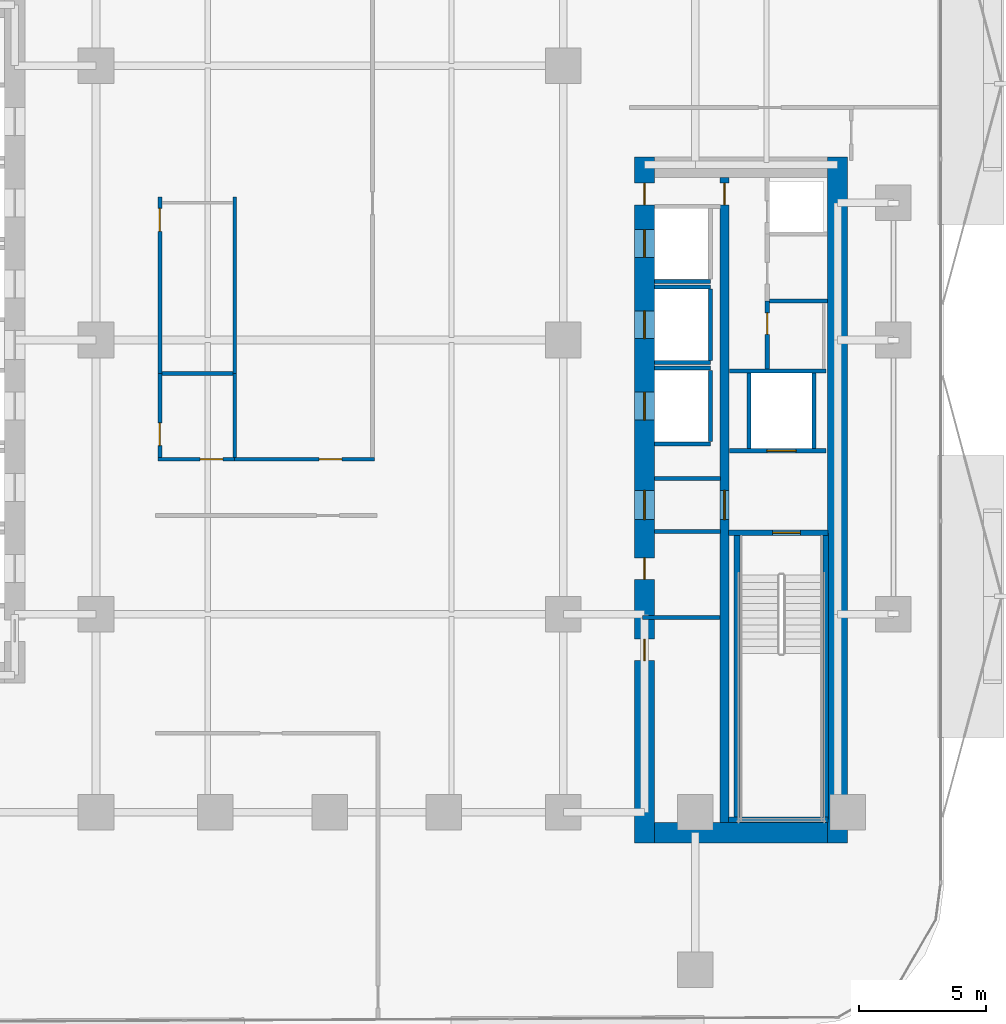
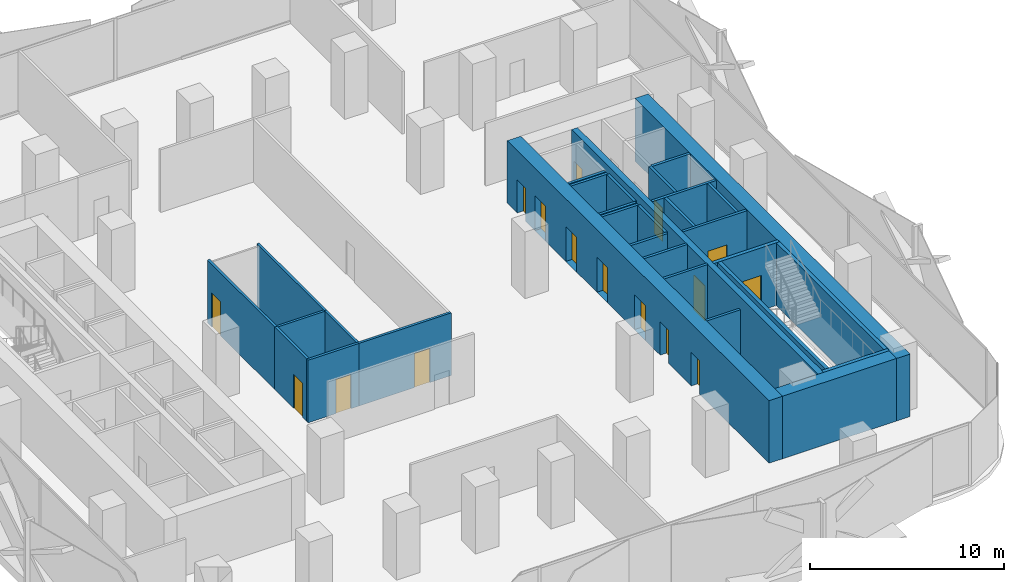
# One storey, part 4 of 15: 31 walls, 16 doors, 16 openings.
"""IFC4 building model written with IfcOpenShell, lengths in metres."""

from ifc_helpers import new_model, si_unit, direction, frame, frame_2d, origin, place, context, subcontext, project, spatial, rectangle, extrude, material, layer, layer_set, type_object, element, fill, save


model = new_model("IFC4")

# Units and contexts
model_context = context("Model", 3, precision=1e-05, world=origin(), true_north=direction((0.0, 1.0)))
body_context = subcontext(model_context, "Body", "Model", "MODEL_VIEW")
ifc_project = project(units=[si_unit("LENGTHUNIT", "METRE"), si_unit("AREAUNIT", "SQUARE_METRE"), si_unit("VOLUMEUNIT", "CUBIC_METRE"), si_unit("PLANEANGLEUNIT", "RADIAN"), si_unit("MASSUNIT", "GRAM", prefix="KILO")], contexts=[model_context])

# Site, building, storey
site_placement = place(None, origin())
site = spatial("IfcSite", under=ifc_project, at=site_placement, CompositionType="ELEMENT")
building_placement = place(site_placement, origin())
building = spatial("IfcBuilding", under=site, at=building_placement, Name="Khairoan Windgate Tower", CompositionType="ELEMENT")
storey_placement = place(building_placement, frame((0.0, 0.0, 68.0)))
storey = spatial("IfcBuildingStorey", under=building, at=storey_placement, Name="L16", CompositionType="ELEMENT", Elevation=68.0)

# Walls
ifc_material_1 = material(Name="Concrete C40/50", Category="concrete")
ifc_layer_1 = layer(ifc_material_1, 0.159912109375, Name="Concrete C40/50")
ifc_layer_set_1 = layer_set([ifc_layer_1], Name="Concrete C40/50")
wall_type_1 = type_object("IfcWallType", Name="Core and Hoistway Enclosure Wall", PredefinedType="STANDARD", material=ifc_layer_set_1)
for number, where, z_axis, x_axis, name in (
    (1, (12.800048828125, 2.31005859375, 0.0), (0.0, 0.0, 1.0), (1.0, 0.0, 0.0), "L16 Lift PL7 Hoistway Divider S"),
    (2, (12.800048828125, -0.889892578125, 0.0), (0.0, 0.0, 1.0), (1.0, 0.0, 0.0), "L16 Lift PL8 Hoistway Divider S"),
    (3, (12.800048828125, 2.090087890625, 0.0), (0.0, 0.0, 1.0), (1.0, 0.0, 0.0), "L16 Lift PL8 Hoistway Divider N"),
):
    element("IfcWall", number, at=place(storey_placement, frame(where, z_axis=z_axis, x_axis=x_axis)), inside=storey, type_object=wall_type_1, Name=name, PredefinedType="STANDARD", context=body_context, shape_type="SweptSolid", body=[
        extrude(rectangle(XDim=2.18994140625, YDim=0.159912109375, at=frame_2d((1.094970703125, 0.0))), origin(), (0.0, 0.0, 1.0), 3.93994140625),
    ])
wall_1_placement = place(storey_placement, frame((14.989990234375, -0.800048828125, 0.0), z_axis=(0.0, 0.0, 1.0), x_axis=(0.0, 1.0, 0.0)))
element("IfcWall", 4, at=wall_1_placement, inside=storey, type_object=wall_type_1, Name="L16 Lift PL8 Hoistway Back Wall", PredefinedType="STANDARD", context=body_context, shape_type="SweptSolid", body=[
    extrude(rectangle(XDim=2.800048828125, YDim=0.159912109375, at=frame_2d((1.39990234375, 0.0))), origin(), (0.0, 0.0, 1.0), 3.93994140625),
])
for number, where, z_axis, x_axis, name in (
    (5, (12.800048828125, -4.090087890625, 0.0), (0.0, 0.0, 1.0), (1.0, 0.0, 0.0), "L16 Lift PL9 Hoistway Divider S"),
    (6, (12.800048828125, -1.110107421875, 0.0), (0.0, 0.0, 1.0), (1.0, 0.0, 0.0), "L16 Lift PL9 Hoistway Divider N"),
):
    element("IfcWall", number, at=place(storey_placement, frame(where, z_axis=z_axis, x_axis=x_axis)), inside=storey, type_object=wall_type_1, Name=name, PredefinedType="STANDARD", context=body_context, shape_type="SweptSolid", body=[
        extrude(rectangle(XDim=2.18994140625, YDim=0.159912109375, at=frame_2d((1.094970703125, 0.0))), origin(), (0.0, 0.0, 1.0), 3.93994140625),
    ])
wall_2_placement = place(storey_placement, frame((14.989990234375, -4.0, 0.0), z_axis=(0.0, 0.0, 1.0), x_axis=(0.0, 1.0, 0.0)))
element("IfcWall", 7, at=wall_2_placement, inside=storey, type_object=wall_type_1, Name="L16 Lift PL9 Hoistway Back Wall", PredefinedType="STANDARD", context=body_context, shape_type="SweptSolid", body=[
    extrude(rectangle(XDim=2.800048828125, YDim=0.159912109375, at=frame_2d((1.39990234375, 0.0))), origin(), (0.0, 0.0, 1.0), 3.93994140625),
])

# Wall, opening, door
wall_3_placement = place(storey_placement, frame((15.75, -4.360107421875, 0.0), z_axis=(0.0, 0.0, 1.0), x_axis=(1.0, 0.0, 0.0)))
wall_3 = element("IfcWall", 8, at=wall_3_placement, inside=storey, type_object=wall_type_1, Name="L16 Core Shaft Wall SW-FL1-L16", PredefinedType="STANDARD", context=body_context, shape_type="SweptSolid", body=[
    extrude(rectangle(XDim=3.800048828125, YDim=0.159912109375, at=frame_2d((1.89990234375, 0.0))), origin(), (0.0, 0.0, 1.0), 3.93994140625),
])
opening_1_placement = place(wall_3_placement, frame((1.469970703125, 0.0, 0.0)))
opening_1 = element("IfcOpeningElement", 9, at=opening_1_placement, cuts=wall_3, Name="Opening LD-FL", PredefinedType="OPENING", context=body_context, shape_type="SweptSolid", body=[
    extrude(rectangle(XDim=1.14990234375, YDim=2.199951171875, at=frame_2d((0.574951171875, 1.10009765625))), frame((0.0, 0.08984375, 0.0), z_axis=(0.0, -1.0, 0.0), x_axis=(1.0, 0.0, 0.0)), (0.0, 0.0, 1.0), 0.179931640625),
])
ifc_material_2 = material(Name="Steel S355", Category="steel")
door_type_1 = type_object("IfcDoorType", Name="Firefighting Lift Sliding Landing Door LD-FL 1150x2200", OperationType="DOUBLE_DOOR_SLIDING", PredefinedType="DOOR", material=ifc_material_2)
door_1_placement = place(opening_1_placement, origin())
door_1 = element("IfcDoor", 10, at=door_1_placement, inside=storey, type_object=door_type_1, Name="L16 Firefighting Lift FL1 Landing Door", OperationType="DOUBLE_DOOR_SLIDING", OverallHeight=2.199951171875, OverallWidth=1.14990234375, PredefinedType="DOOR", context=body_context, shape_type="SweptSolid", body=[
    extrude(rectangle(XDim=1.14990234375, YDim=2.199951171875, at=frame_2d((0.574951171875, 1.10009765625))), frame((0.0, 0.02490234375, 0.0), z_axis=(0.0, -1.0, 0.0), x_axis=(1.0, 0.0, 0.0)), (0.0, 0.0, 1.0), 0.050048828125),
])
fill(opening_1, door_1)

# Walls
wall_4_placement = place(storey_placement, frame((15.75, -1.219970703125, 0.0), z_axis=(0.0, 0.0, 1.0), x_axis=(1.0, 0.0, 0.0)))
element("IfcWall", 11, at=wall_4_placement, inside=storey, type_object=wall_type_1, Name="L16 Core Shaft Wall SW-FL1T-L16", PredefinedType="STANDARD", context=body_context, shape_type="SweptSolid", body=[
    extrude(rectangle(XDim=3.800048828125, YDim=0.159912109375, at=frame_2d((1.89990234375, 0.0))), origin(), (0.0, 0.0, 1.0), 3.93994140625),
])
for number, where, z_axis, x_axis, name in (
    (12, (16.52001953125, -4.280029296875, 0.0), (0.0, 0.0, 1.0), (0.0, 1.0, 0.0), "L16 Core Shaft Wall SW-FL1W-L16"),
    (13, (19.080078125, -4.280029296875, 0.0), (0.0, 0.0, 1.0), (0.0, 1.0, 0.0), "L16 Core Shaft Wall SW-FL1E-L16"),
):
    element("IfcWall", number, at=place(storey_placement, frame(where, z_axis=z_axis, x_axis=x_axis)), inside=storey, type_object=wall_type_1, Name=name, PredefinedType="STANDARD", context=body_context, shape_type="SweptSolid", body=[
        extrude(rectangle(XDim=2.97998046875, YDim=0.159912109375, at=frame_2d((1.489990234375, 0.0))), origin(), (0.0, 0.0, 1.0), 3.93994140625),
    ])
for number, where, z_axis, x_axis, name in (
    (14, (12.800048828125, -5.449951171875, 0.0), (0.0, 0.0, 1.0), (1.0, 0.0, 0.0), "L16 Core Shaft Wall SW-EV1-L16"),
    (15, (12.800048828125, -7.5400390625, 0.0), (0.0, 0.0, 1.0), (1.0, 0.0, 0.0), "L16 Core Shaft Wall SW-EV2-L16"),
):
    element("IfcWall", number, at=place(storey_placement, frame(where, z_axis=z_axis, x_axis=x_axis)), inside=storey, type_object=wall_type_1, Name=name, PredefinedType="STANDARD", context=body_context, shape_type="SweptSolid", body=[
        extrude(rectangle(XDim=2.599853515625, YDim=0.159912109375, at=frame_2d((1.2998046875, 0.0))), origin(), (0.0, 0.0, 1.0), 3.93994140625),
    ])
ifc_material_3 = material(Name="Acoustic Fire-Rated Gypsum Partition", Category="gypsum")
ifc_layer_2 = layer(ifc_material_3, 0.139892578125, Name="Acoustic Fire-Rated Gypsum Partition")
ifc_layer_set_2 = layer_set([ifc_layer_2], Name="Acoustic Fire-Rated Gypsum Partition")
wall_type_2 = type_object("IfcWallType", Name="Inter-Tenancy Compartment Wall", PredefinedType="PARTITIONING", material=ifc_layer_set_2)
wall_5_placement = place(storey_placement, frame((-6.610107421875, -1.320068359375, 0.0), z_axis=(0.0, 0.0, 1.0), x_axis=(1.0, 0.0, 0.0)))
element("IfcWall", 16, at=wall_5_placement, inside=storey, type_object=wall_type_2, Name="L16 Interior Partition 032", PredefinedType="PARTITIONING", context=body_context, shape_type="SweptSolid", body=[
    extrude(rectangle(XDim=2.800048828125, YDim=0.139892578125, at=frame_2d((1.39990234375, 0.0))), origin(), (0.0, 0.0, 1.0), 3.93994140625),
])
wall_6_placement = place(storey_placement, frame((-3.739990234375, -4.6201171875, 0.0), z_axis=(0.0, 0.0, 1.0), x_axis=(0.0, 1.0, 0.0)))
element("IfcWall", 17, at=wall_6_placement, inside=storey, type_object=wall_type_2, Name="L16 Interior Partition 033", PredefinedType="PARTITIONING", context=body_context, shape_type="SweptSolid", body=[
    extrude(rectangle(XDim=3.300048828125, YDim=0.139892578125, at=frame_2d((1.64990234375, 0.0))), origin(), (0.0, 0.0, 1.0), 3.93994140625),
])
wall_7_placement = place(storey_placement, frame((-3.739990234375, -1.320068359375, 0.0), z_axis=(0.0, 0.0, 1.0), x_axis=(0.0, 1.0, 0.0)))
element("IfcWall", 18, at=wall_7_placement, inside=storey, type_object=wall_type_2, Name="L16 Interior Partition 034", PredefinedType="PARTITIONING", context=body_context, shape_type="SweptSolid", body=[
    extrude(rectangle(XDim=6.9599609375, YDim=0.139892578125, at=frame_2d((3.47998046875, 0.0))), origin(), (0.0, 0.0, 1.0), 3.93994140625),
])

# Wall, opening, door
ifc_material_4 = material(Name="Concrete C40/50", Category="concrete")
ifc_layer_3 = layer(ifc_material_4, 0.159912109375, Name="Concrete C40/50")
ifc_layer_set_3 = layer_set([ifc_layer_3], Name="Concrete C40/50")
wall_type_3 = type_object("IfcWallType", Name="Plant and Refuge Compartment Wall", PredefinedType="PARTITIONING", material=ifc_layer_set_3)
wall_8_placement = place(storey_placement, frame((17.22998046875, -1.139892578125, 0.0), z_axis=(0.0, 0.0, 1.0), x_axis=(0.0, 1.0, 0.0)))
wall_8 = element("IfcWall", 19, at=wall_8_placement, inside=storey, type_object=wall_type_3, Name="L16 Interior Partition 005", PredefinedType="PARTITIONING", context=body_context, shape_type="SweptSolid", body=[
    extrude(rectangle(XDim=2.669921875, YDim=0.159912109375, at=frame_2d((1.3349609375, 0.0))), origin(), (0.0, 0.0, 1.0), 3.93994140625),
])
opening_2_placement = place(wall_8_placement, frame((1.360107421875, 0.0, 0.0)))
opening_2 = element("IfcOpeningElement", 20, at=opening_2_placement, cuts=wall_8, Name="Opening FD-SRV", PredefinedType="OPENING", context=body_context, shape_type="SweptSolid", body=[
    extrude(rectangle(XDim=0.85009765625, YDim=2.10009765625, at=frame_2d((0.425048828125, 1.050048828125))), frame((0.0, 0.08984375, 0.0), z_axis=(0.0, -1.0, 0.0), x_axis=(1.0, 0.0, 0.0)), (0.0, 0.0, 1.0), 0.179931640625),
])
ifc_material_5 = material(Name="Steel S355", Category="steel")
door_type_2 = type_object("IfcDoorType", Name="Core Service and Riser Fire Door FD-SRV 850x2100", OperationType="NOTDEFINED", PredefinedType="DOOR", material=ifc_material_5)
door_2_placement = place(opening_2_placement, origin())
door_2 = element("IfcDoor", 21, at=door_2_placement, inside=storey, type_object=door_type_2, Name="L16 L16-18-L16-20 Door", OperationType="SINGLE_SWING_RIGHT", OverallHeight=2.10009765625, OverallWidth=0.85009765625, PredefinedType="DOOR", context=body_context, shape_type="SweptSolid", body=[
    extrude(rectangle(XDim=0.85009765625, YDim=2.10009765625, at=frame_2d((0.425048828125, 1.050048828125))), frame((0.0, 0.02490234375, 0.0), z_axis=(0.0, -1.0, 0.0), x_axis=(1.0, 0.0, 0.0)), (0.0, 0.0, 1.0), 0.050048828125),
])
fill(opening_2, door_2)

# Walls
wall_9_placement = place(storey_placement, frame((17.31005859375, 1.530029296875, 0.0), z_axis=(0.0, 0.0, 1.0), x_axis=(1.0, 0.0, 0.0)))
element("IfcWall", 22, at=wall_9_placement, inside=storey, type_object=wall_type_3, Name="L16 Interior Partition 008", PredefinedType="PARTITIONING", context=body_context, shape_type="SweptSolid", body=[
    extrude(rectangle(XDim=2.2900390625, YDim=0.159912109375, at=frame_2d((1.14501953125, 0.0))), origin(), (0.0, 0.0, 1.0), 3.93994140625),
])
wall_10_placement = place(storey_placement, frame((12.31005859375, -10.919921875, 0.0), z_axis=(0.0, 0.0, 1.0), x_axis=(1.0, 0.0, 0.0)))
element("IfcWall", 23, at=wall_10_placement, inside=storey, type_object=wall_type_3, Name="L16 Interior Partition 009", PredefinedType="PARTITIONING", context=body_context, shape_type="SweptSolid", body=[
    extrude(rectangle(XDim=3.06494140625, YDim=0.159912109375, at=frame_2d((1.532470703125, 0.0))), origin(), (0.0, 0.0, 1.0), 3.139892578125),
])

# Wall, opening, door
ifc_material_6 = material(Name="Acoustic Fire-Rated Gypsum Partition", Category="gypsum")
ifc_layer_4 = layer(ifc_material_6, 0.14990234375, Name="Acoustic Fire-Rated Gypsum Partition")
ifc_layer_set_4 = layer_set([ifc_layer_4], Name="Acoustic Fire-Rated Gypsum Partition")
wall_type_4 = type_object("IfcWallType", Name="Rated Corridor Partition Wall", PredefinedType="PARTITIONING", material=ifc_layer_set_4)
wall_11_placement = place(storey_placement, frame((-6.760009765625, -4.695068359375, 0.0), z_axis=(0.0, 0.0, 1.0), x_axis=(1.0, 0.0, 0.0)))
wall_11 = element("IfcWall", 24, at=wall_11_placement, inside=storey, type_object=wall_type_4, Name="L16 Interior Partition 011", PredefinedType="PARTITIONING", context=body_context, shape_type="SweptSolid", body=[
    extrude(rectangle(XDim=3.02001953125, YDim=0.14990234375, at=frame_2d((1.510009765625, 0.0))), origin(), (0.0, 0.0, 1.0), 3.93994140625),
])
opening_3_placement = place(wall_11_placement, frame((1.659912109375, 0.0, 0.0)))
opening_3 = element("IfcOpeningElement", 25, at=opening_3_placement, cuts=wall_11, Name="Opening FD-ENT", PredefinedType="OPENING", context=body_context, shape_type="SweptSolid", body=[
    extrude(rectangle(XDim=0.89990234375, YDim=2.14990234375, at=frame_2d((0.449951171875, 1.074951171875))), frame((0.0, 0.0849609375, 0.0), z_axis=(0.0, -1.0, 0.0), x_axis=(1.0, 0.0, 0.0)), (0.0, 0.0, 1.0), 0.169921875),
])
ifc_material_7 = material(Name="Timber Fire-Rated Core", Category="wood")
door_type_3 = type_object("IfcDoorType", Name="Unit and Office Fire Entrance Door FD-ENT 900x2150", OperationType="NOTDEFINED", PredefinedType="DOOR", material=ifc_material_7)
door_3_placement = place(opening_3_placement, origin())
door_3 = element("IfcDoor", 26, at=door_3_placement, inside=storey, type_object=door_type_3, Name="L16 L16-31-L16-44 Door", OperationType="SINGLE_SWING_LEFT", OverallHeight=2.14990234375, OverallWidth=0.89990234375, PredefinedType="DOOR", context=body_context, shape_type="SweptSolid", body=[
    extrude(rectangle(XDim=0.89990234375, YDim=2.14990234375, at=frame_2d((0.449951171875, 1.074951171875))), frame((0.0, 0.02490234375, 0.0), z_axis=(0.0, -1.0, 0.0), x_axis=(1.0, 0.0, 0.0)), (0.0, 0.0, 1.0), 0.050048828125),
])
fill(opening_3, door_3)

wall_12_placement = place(storey_placement, frame((-3.739990234375, -4.695068359375, 0.0), z_axis=(0.0, 0.0, 1.0), x_axis=(1.0, 0.0, 0.0)))
wall_12 = element("IfcWall", 27, at=wall_12_placement, inside=storey, type_object=wall_type_4, Name="L16 Interior Partition 012", PredefinedType="PARTITIONING", context=body_context, shape_type="SweptSolid", body=[
    extrude(rectangle(XDim=5.5, YDim=0.14990234375, at=frame_2d((2.75, 0.0))), origin(), (0.0, 0.0, 1.0), 3.93994140625),
])
opening_4_placement = place(wall_12_placement, frame((3.322265625, 0.0, 0.0)))
opening_4 = element("IfcOpeningElement", 28, at=opening_4_placement, cuts=wall_12, Name="Opening FD-ENT", PredefinedType="OPENING", context=body_context, shape_type="SweptSolid", body=[
    extrude(rectangle(XDim=0.89990234375, YDim=2.14990234375, at=frame_2d((0.449951171875, 1.074951171875))), frame((0.0, 0.0849609375, 0.0), z_axis=(0.0, -1.0, 0.0), x_axis=(1.0, 0.0, 0.0)), (0.0, 0.0, 1.0), 0.169921875),
])
door_4_placement = place(opening_4_placement, origin())
door_4 = element("IfcDoor", 29, at=door_4_placement, inside=storey, type_object=door_type_3, Name="L16 L16-31-L16-46 Door", OperationType="SINGLE_SWING_RIGHT", OverallHeight=2.14990234375, OverallWidth=0.89990234375, PredefinedType="DOOR", context=body_context, shape_type="SweptSolid", body=[
    extrude(rectangle(XDim=0.89990234375, YDim=2.14990234375, at=frame_2d((0.449951171875, 1.074951171875))), frame((0.0, 0.02490234375, 0.0), z_axis=(0.0, -1.0, 0.0), x_axis=(1.0, 0.0, 0.0)), (0.0, 0.0, 1.0), 0.050048828125),
])
fill(opening_4, door_4)

wall_13_placement = place(storey_placement, frame((-6.68505859375, -4.6201171875, 0.0), z_axis=(0.0, 0.0, 1.0), x_axis=(0.0, 1.0, 0.0)))
wall_13 = element("IfcWall", 30, at=wall_13_placement, inside=storey, type_object=wall_type_4, Name="L16 Interior Partition 015", PredefinedType="PARTITIONING", context=body_context, shape_type="SweptSolid", body=[
    extrude(rectangle(XDim=3.300048828125, YDim=0.14990234375, at=frame_2d((1.64990234375, 0.0))), origin(), (0.0, 0.0, 1.0), 3.93994140625),
])
opening_5_placement = place(wall_13_placement, frame((0.4599609375, 0.0, 0.0)))
opening_5 = element("IfcOpeningElement", 31, at=opening_5_placement, cuts=wall_13, Name="Opening FD-ENT", PredefinedType="OPENING", context=body_context, shape_type="SweptSolid", body=[
    extrude(rectangle(XDim=0.89990234375, YDim=2.14990234375, at=frame_2d((0.449951171875, 1.074951171875))), frame((0.0, 0.0849609375, 0.0), z_axis=(0.0, -1.0, 0.0), x_axis=(1.0, 0.0, 0.0)), (0.0, 0.0, 1.0), 0.169921875),
])
door_5_placement = place(opening_5_placement, origin())
door_5 = element("IfcDoor", 32, at=door_5_placement, inside=storey, type_object=door_type_3, Name="L16 L16-32-L16-44 Door", OperationType="SINGLE_SWING_LEFT", OverallHeight=2.14990234375, OverallWidth=0.89990234375, PredefinedType="DOOR", context=body_context, shape_type="SweptSolid", body=[
    extrude(rectangle(XDim=0.89990234375, YDim=2.14990234375, at=frame_2d((0.449951171875, 1.074951171875))), frame((0.0, 0.02490234375, 0.0), z_axis=(0.0, -1.0, 0.0), x_axis=(1.0, 0.0, 0.0)), (0.0, 0.0, 1.0), 0.050048828125),
])
fill(opening_5, door_5)

wall_14_placement = place(storey_placement, frame((-6.68505859375, -1.320068359375, 0.0), z_axis=(0.0, 0.0, 1.0), x_axis=(0.0, 1.0, 0.0)))
wall_14 = element("IfcWall", 33, at=wall_14_placement, inside=storey, type_object=wall_type_4, Name="L16 Interior Partition 016", PredefinedType="PARTITIONING", context=body_context, shape_type="SweptSolid", body=[
    extrude(rectangle(XDim=6.9599609375, YDim=0.14990234375, at=frame_2d((3.47998046875, 0.0))), origin(), (0.0, 0.0, 1.0), 3.93994140625),
])
opening_6_placement = place(wall_14_placement, frame((5.60009765625, 0.0, 0.0)))
opening_6 = element("IfcOpeningElement", 34, at=opening_6_placement, cuts=wall_14, Name="Opening FD-ENT", PredefinedType="OPENING", context=body_context, shape_type="SweptSolid", body=[
    extrude(rectangle(XDim=0.89990234375, YDim=2.14990234375, at=frame_2d((0.449951171875, 1.074951171875))), frame((0.0, 0.0849609375, 0.0), z_axis=(0.0, -1.0, 0.0), x_axis=(1.0, 0.0, 0.0)), (0.0, 0.0, 1.0), 0.169921875),
])
door_6_placement = place(opening_6_placement, origin())
door_6 = element("IfcDoor", 35, at=door_6_placement, inside=storey, type_object=door_type_3, Name="L16 L16-32-L16-45 Door", OperationType="SINGLE_SWING_RIGHT", OverallHeight=2.14990234375, OverallWidth=0.89990234375, PredefinedType="DOOR", context=body_context, shape_type="SweptSolid", body=[
    extrude(rectangle(XDim=0.89990234375, YDim=2.14990234375, at=frame_2d((0.449951171875, 1.074951171875))), frame((0.0, 0.02490234375, 0.0), z_axis=(0.0, -1.0, 0.0), x_axis=(1.0, 0.0, 0.0)), (0.0, 0.0, 1.0), 0.050048828125),
])
fill(opening_6, door_6)

# Wall, openings, doors
ifc_material_8 = material(Name="Concrete C70/85", Category="concrete")
ifc_layer_5 = layer(ifc_material_8, 0.800048828125, Name="Concrete C70/85")
ifc_layer_set_5 = layer_set([ifc_layer_5], Name="Concrete C70/85")
wall_type_5 = type_object("IfcWallType", Name="Shear Wall CW-E1 800mm", PredefinedType="SHEAR", material=ifc_layer_set_5)
wall_15_placement = place(storey_placement, frame((12.39990234375, -19.800048828125, 0.0), z_axis=(0.0, 0.0, 1.0), x_axis=(0.0, 1.0, 0.0)))
wall_15 = element("IfcWall", 36, at=wall_15_placement, inside=storey, type_object=wall_type_5, Name="E Core West Shear Wall L16", PredefinedType="SHEAR", context=body_context, shape_type="SweptSolid", body=[
    extrude(rectangle(XDim=27.0, YDim=0.800048828125, at=frame_2d((13.5, 0.0))), origin(), (0.0, 0.0, 1.0), 3.93994140625),
])
opening_7_placement = place(wall_15_placement, frame((23.050048828125, 0.0, 0.0)))
opening_7 = element("IfcOpeningElement", 37, at=opening_7_placement, cuts=wall_15, Name="Opening LD-PL", PredefinedType="OPENING", context=body_context, shape_type="SweptSolid", body=[
    extrude(rectangle(XDim=1.10009765625, YDim=2.199951171875, at=frame_2d((0.550048828125, 1.10009765625))), frame((0.0, 0.409912109375, 0.0), z_axis=(0.0, -1.0, 0.0), x_axis=(1.0, 0.0, 0.0)), (0.0, 0.0, 1.0), 0.820068359375),
])
opening_8_placement = place(wall_15_placement, frame((19.85009765625, 0.0, 0.0)))
opening_8 = element("IfcOpeningElement", 38, at=opening_8_placement, cuts=wall_15, Name="Opening LD-PL", PredefinedType="OPENING", context=body_context, shape_type="SweptSolid", body=[
    extrude(rectangle(XDim=1.10009765625, YDim=2.199951171875, at=frame_2d((0.550048828125, 1.10009765625))), frame((0.0, 0.409912109375, 0.0), z_axis=(0.0, -1.0, 0.0), x_axis=(1.0, 0.0, 0.0)), (0.0, 0.0, 1.0), 0.820068359375),
])
opening_9_placement = place(wall_15_placement, frame((16.64990234375, 0.0, 0.0)))
opening_9 = element("IfcOpeningElement", 39, at=opening_9_placement, cuts=wall_15, Name="Opening LD-PL", PredefinedType="OPENING", context=body_context, shape_type="SweptSolid", body=[
    extrude(rectangle(XDim=1.10009765625, YDim=2.199951171875, at=frame_2d((0.550048828125, 1.10009765625))), frame((0.0, 0.409912109375, 0.0), z_axis=(0.0, -1.0, 0.0), x_axis=(1.0, 0.0, 0.0)), (0.0, 0.0, 1.0), 0.820068359375),
])
opening_10_placement = place(wall_15_placement, frame((7.175048828125, 0.0, 0.0)))
opening_10 = element("IfcOpeningElement", 40, at=opening_10_placement, cuts=wall_15, Name="Opening FD-SRV", PredefinedType="OPENING", context=body_context, shape_type="SweptSolid", body=[
    extrude(rectangle(XDim=0.85009765625, YDim=2.10009765625, at=frame_2d((0.425048828125, 1.050048828125))), frame((0.0, 0.409912109375, 0.0), z_axis=(0.0, -1.0, 0.0), x_axis=(1.0, 0.0, 0.0)), (0.0, 0.0, 1.0), 0.820068359375),
])
opening_11_placement = place(wall_15_placement, frame((10.375, 0.0, 0.0)))
opening_11 = element("IfcOpeningElement", 41, at=opening_11_placement, cuts=wall_15, Name="Opening FD-SRV", PredefinedType="OPENING", context=body_context, shape_type="SweptSolid", body=[
    extrude(rectangle(XDim=0.85009765625, YDim=2.10009765625, at=frame_2d((0.425048828125, 1.050048828125))), frame((0.0, 0.409912109375, 0.0), z_axis=(0.0, -1.0, 0.0), x_axis=(1.0, 0.0, 0.0)), (0.0, 0.0, 1.0), 0.820068359375),
])
opening_12_placement = place(wall_15_placement, frame((12.72509765625, 0.0, 0.0)))
opening_12 = element("IfcOpeningElement", 42, at=opening_12_placement, cuts=wall_15, Name="Opening FD-FFL", PredefinedType="OPENING", context=body_context, shape_type="SweptSolid", body=[
    extrude(rectangle(XDim=1.14990234375, YDim=2.199951171875, at=frame_2d((0.574951171875, 1.10009765625))), frame((0.0, 0.409912109375, 0.0), z_axis=(0.0, -1.0, 0.0), x_axis=(1.0, 0.0, 0.0)), (0.0, 0.0, 1.0), 0.820068359375),
])
opening_13_placement = place(wall_15_placement, frame((25.125, 0.0, 0.0)))
opening_13 = element("IfcOpeningElement", 43, at=opening_13_placement, cuts=wall_15, Name="Opening FD-SRV", PredefinedType="OPENING", context=body_context, shape_type="SweptSolid", body=[
    extrude(rectangle(XDim=0.85009765625, YDim=2.10009765625, at=frame_2d((0.425048828125, 1.050048828125))), frame((0.0, 0.409912109375, 0.0), z_axis=(0.0, -1.0, 0.0), x_axis=(1.0, 0.0, 0.0)), (0.0, 0.0, 1.0), 0.820068359375),
])
door_7_placement = place(opening_10_placement, origin())
door_7 = element("IfcDoor", 44, at=door_7_placement, inside=storey, type_object=door_type_2, Name="L16 East Core Service Room Door 1", OperationType="SINGLE_SWING_LEFT", OverallHeight=2.10009765625, OverallWidth=0.85009765625, PredefinedType="DOOR", context=body_context, shape_type="SweptSolid", body=[
    extrude(rectangle(XDim=0.85009765625, YDim=2.10009765625, at=frame_2d((0.425048828125, 1.050048828125))), frame((0.0, 0.02490234375, 0.0), z_axis=(0.0, -1.0, 0.0), x_axis=(1.0, 0.0, 0.0)), (0.0, 0.0, 1.0), 0.050048828125),
])
fill(opening_10, door_7)
door_8_placement = place(opening_11_placement, origin())
door_8 = element("IfcDoor", 45, at=door_8_placement, inside=storey, type_object=door_type_2, Name="L16 East Core Service Room Door 2", OperationType="SINGLE_SWING_RIGHT", OverallHeight=2.10009765625, OverallWidth=0.85009765625, PredefinedType="DOOR", context=body_context, shape_type="SweptSolid", body=[
    extrude(rectangle(XDim=0.85009765625, YDim=2.10009765625, at=frame_2d((0.425048828125, 1.050048828125))), frame((0.0, 0.02490234375, 0.0), z_axis=(0.0, -1.0, 0.0), x_axis=(1.0, 0.0, 0.0)), (0.0, 0.0, 1.0), 0.050048828125),
])
fill(opening_11, door_8)
door_9_placement = place(opening_13_placement, origin())
door_9 = element("IfcDoor", 46, at=door_9_placement, inside=storey, type_object=door_type_2, Name="L16 East Core Service Vestibule Outer Door", OperationType="SINGLE_SWING_LEFT", OverallHeight=2.10009765625, OverallWidth=0.85009765625, PredefinedType="DOOR", context=body_context, shape_type="SweptSolid", body=[
    extrude(rectangle(XDim=0.85009765625, YDim=2.10009765625, at=frame_2d((0.425048828125, 1.050048828125))), frame((0.0, 0.02490234375, 0.0), z_axis=(0.0, -1.0, 0.0), x_axis=(1.0, 0.0, 0.0)), (0.0, 0.0, 1.0), 0.050048828125),
])
fill(opening_13, door_9)
ifc_material_9 = material(Name="Steel S355", Category="steel")
door_type_4 = type_object("IfcDoorType", Name="Firefighting Lobby Fire Door FD-FFL 1150x2200", OperationType="NOTDEFINED", PredefinedType="DOOR", material=ifc_material_9)
door_10_placement = place(opening_12_placement, origin())
door_10 = element("IfcDoor", 47, at=door_10_placement, inside=storey, type_object=door_type_4, Name="L16 East Core Vestibule Entry Door", OperationType="SINGLE_SWING_LEFT", OverallHeight=2.199951171875, OverallWidth=1.14990234375, PredefinedType="DOOR", context=body_context, shape_type="SweptSolid", body=[
    extrude(rectangle(XDim=1.14990234375, YDim=2.199951171875, at=frame_2d((0.574951171875, 1.10009765625))), frame((0.0, 0.02490234375, 0.0), z_axis=(0.0, -1.0, 0.0), x_axis=(1.0, 0.0, 0.0)), (0.0, 0.0, 1.0), 0.050048828125),
])
fill(opening_12, door_10)
ifc_material_10 = material(Name="Anodised Bronze Aluminium 6063-T6", Category="aluminium")
door_type_5 = type_object("IfcDoorType", Name="Passenger Lift Sliding Landing Door LD-PL 1100x2200", OperationType="DOUBLE_DOOR_SLIDING", PredefinedType="DOOR", material=ifc_material_10)
door_11_placement = place(opening_7_placement, origin())
door_11 = element("IfcDoor", 48, at=door_11_placement, inside=storey, type_object=door_type_5, Name="L16 Lift PL7 Sliding Landing Door", OperationType="DOUBLE_DOOR_SLIDING", OverallHeight=2.199951171875, OverallWidth=1.10009765625, PredefinedType="DOOR", context=body_context, shape_type="SweptSolid", body=[
    extrude(rectangle(XDim=1.10009765625, YDim=2.199951171875, at=frame_2d((0.550048828125, 1.10009765625))), frame((0.0, 0.02490234375, 0.0), z_axis=(0.0, -1.0, 0.0), x_axis=(1.0, 0.0, 0.0)), (0.0, 0.0, 1.0), 0.050048828125),
])
fill(opening_7, door_11)
door_12_placement = place(opening_8_placement, origin())
door_12 = element("IfcDoor", 49, at=door_12_placement, inside=storey, type_object=door_type_5, Name="L16 Lift PL8 Sliding Landing Door", OperationType="DOUBLE_DOOR_SLIDING", OverallHeight=2.199951171875, OverallWidth=1.10009765625, PredefinedType="DOOR", context=body_context, shape_type="SweptSolid", body=[
    extrude(rectangle(XDim=1.10009765625, YDim=2.199951171875, at=frame_2d((0.550048828125, 1.10009765625))), frame((0.0, 0.02490234375, 0.0), z_axis=(0.0, -1.0, 0.0), x_axis=(1.0, 0.0, 0.0)), (0.0, 0.0, 1.0), 0.050048828125),
])
fill(opening_8, door_12)
door_13_placement = place(opening_9_placement, origin())
door_13 = element("IfcDoor", 50, at=door_13_placement, inside=storey, type_object=door_type_5, Name="L16 Lift PL9 Sliding Landing Door", OperationType="DOUBLE_DOOR_SLIDING", OverallHeight=2.199951171875, OverallWidth=1.10009765625, PredefinedType="DOOR", context=body_context, shape_type="SweptSolid", body=[
    extrude(rectangle(XDim=1.10009765625, YDim=2.199951171875, at=frame_2d((0.550048828125, 1.10009765625))), frame((0.0, 0.02490234375, 0.0), z_axis=(0.0, -1.0, 0.0), x_axis=(1.0, 0.0, 0.0)), (0.0, 0.0, 1.0), 0.050048828125),
])
fill(opening_9, door_13)

# Walls
wall_16_placement = place(storey_placement, frame((20.0, -19.800048828125, 0.0), z_axis=(0.0, 0.0, 1.0), x_axis=(0.0, 1.0, 0.0)))
element("IfcWall", 51, at=wall_16_placement, inside=storey, type_object=wall_type_5, Name="E Core East Shear Wall L16", PredefinedType="SHEAR", context=body_context, shape_type="SweptSolid", body=[
    extrude(rectangle(XDim=27.0, YDim=0.800048828125, at=frame_2d((13.5, 0.0))), origin(), (0.0, 0.0, 1.0), 3.93994140625),
])
wall_17_placement = place(storey_placement, frame((12.800048828125, -19.39990234375, 0.0), z_axis=(0.0, 0.0, 1.0), x_axis=(1.0, 0.0, 0.0)))
element("IfcWall", 52, at=wall_17_placement, inside=storey, type_object=wall_type_5, Name="E Core South Shear Wall L16", PredefinedType="SHEAR", context=body_context, shape_type="SweptSolid", body=[
    extrude(rectangle(XDim=6.800048828125, YDim=0.800048828125, at=frame_2d((3.39990234375, 0.0))), origin(), (0.0, 0.0, 1.0), 3.93994140625),
])

# Wall, openings, doors
ifc_material_11 = material(Name="Concrete C60/75", Category="concrete")
ifc_layer_6 = layer(ifc_material_11, 0.35009765625, Name="Concrete C60/75")
ifc_layer_set_6 = layer_set([ifc_layer_6], Name="Concrete C60/75")
wall_type_6 = type_object("IfcWallType", Name="Shear Wall SW-1 350mm", PredefinedType="SHEAR", material=ifc_layer_set_6)
wall_18_placement = place(storey_placement, frame((15.550048828125, -19.0, 0.0), z_axis=(0.0, 0.0, 1.0), x_axis=(0.0, 1.0, 0.0)))
wall_18 = element("IfcWall", 53, at=wall_18_placement, inside=storey, type_object=wall_type_6, Name="E Core Spine Shear Wall L16", PredefinedType="SHEAR", context=body_context, shape_type="SweptSolid", body=[
    extrude(rectangle(XDim=25.39990234375, YDim=0.35009765625, at=frame_2d((12.699951171875, 0.0))), origin(), (0.0, 0.0, 1.0), 3.93994140625),
])
opening_14_placement = place(wall_18_placement, frame((11.925048828125, 0.0, 0.0)))
opening_14 = element("IfcOpeningElement", 54, at=opening_14_placement, cuts=wall_18, Name="Opening FD-FFL", PredefinedType="OPENING", context=body_context, shape_type="SweptSolid", body=[
    extrude(rectangle(XDim=1.14990234375, YDim=2.199951171875, at=frame_2d((0.574951171875, 1.10009765625))), frame((0.0, 0.18505859375, 0.0), z_axis=(0.0, -1.0, 0.0), x_axis=(1.0, 0.0, 0.0)), (0.0, 0.0, 1.0), 0.3701171875),
])
opening_15_placement = place(wall_18_placement, frame((24.324951171875, 0.0, 0.0)))
opening_15 = element("IfcOpeningElement", 55, at=opening_15_placement, cuts=wall_18, Name="Opening FD-SRV", PredefinedType="OPENING", context=body_context, shape_type="SweptSolid", body=[
    extrude(rectangle(XDim=0.85009765625, YDim=2.10009765625, at=frame_2d((0.425048828125, 1.050048828125))), frame((0.0, 0.18505859375, 0.0), z_axis=(0.0, -1.0, 0.0), x_axis=(1.0, 0.0, 0.0)), (0.0, 0.0, 1.0), 0.3701171875),
])
door_14_placement = place(opening_15_placement, origin())
door_14 = element("IfcDoor", 56, at=door_14_placement, inside=storey, type_object=door_type_2, Name="L16 East Core Service Passage Inner Door", OperationType="SINGLE_SWING_RIGHT", OverallHeight=2.10009765625, OverallWidth=0.85009765625, PredefinedType="DOOR", context=body_context, shape_type="SweptSolid", body=[
    extrude(rectangle(XDim=0.85009765625, YDim=2.10009765625, at=frame_2d((0.425048828125, 1.050048828125))), frame((0.0, 0.02490234375, 0.0), z_axis=(0.0, -1.0, 0.0), x_axis=(1.0, 0.0, 0.0)), (0.0, 0.0, 1.0), 0.050048828125),
])
fill(opening_15, door_14)
door_15_placement = place(opening_14_placement, origin())
door_15 = element("IfcDoor", 57, at=door_15_placement, inside=storey, type_object=door_type_4, Name="L16 East Firefighting Lobby Fire Door", OperationType="SINGLE_SWING_RIGHT", OverallHeight=2.199951171875, OverallWidth=1.14990234375, PredefinedType="DOOR", context=body_context, shape_type="SweptSolid", body=[
    extrude(rectangle(XDim=1.14990234375, YDim=2.199951171875, at=frame_2d((0.574951171875, 1.10009765625))), frame((0.0, 0.02490234375, 0.0), z_axis=(0.0, -1.0, 0.0), x_axis=(1.0, 0.0, 0.0)), (0.0, 0.0, 1.0), 0.050048828125),
])
fill(opening_14, door_15)

# Walls
ifc_material_12 = material(Name="Concrete C50/60", Category="concrete")
ifc_layer_7 = layer(ifc_material_12, 0.219970703125, Name="Concrete C50/60")
ifc_layer_set_7 = layer_set([ifc_layer_7], Name="Concrete C50/60")
wall_type_7 = type_object("IfcWallType", Name="Shear Wall SW-ST 220mm", PredefinedType="SHEAR", material=ifc_layer_set_7)
for number, where, z_axis, x_axis, name in (
    (58, (16.0400390625, -18.889892578125, 0.0), (0.0, 0.0, 1.0), (0.0, 1.0, 0.0), "L16 Stair ST1 West Bearing Wall"),
    (59, (19.530029296875, -18.889892578125, 0.0), (0.0, 0.0, 1.0), (0.0, 1.0, 0.0), "L16 Stair ST1 East Bearing Wall"),
):
    element("IfcWall", number, at=place(storey_placement, frame(where, z_axis=z_axis, x_axis=x_axis)), inside=storey, type_object=wall_type_7, Name=name, PredefinedType="SHEAR", context=body_context, shape_type="SweptSolid", body=[
        extrude(rectangle(XDim=11.2998046875, YDim=0.219970703125, at=frame_2d((5.64990234375, 0.0))), origin(), (0.0, 0.0, 1.0), 3.93994140625),
    ])
wall_19_placement = place(storey_placement, frame((15.705078125, -18.889892578125, 0.0), z_axis=(0.0, 0.0, 1.0), x_axis=(1.0, 0.0, 0.0)))
element("IfcWall", 60, at=wall_19_placement, inside=storey, type_object=wall_type_7, Name="L16 Stair ST1 South Bearing Wall", PredefinedType="SHEAR", context=body_context, shape_type="SweptSolid", body=[
    extrude(rectangle(XDim=3.9150390625, YDim=0.219970703125, at=frame_2d((1.95751953125, 0.0))), origin(), (0.0, 0.0, 1.0), 3.93994140625),
])

# Wall, opening, door
wall_20_placement = place(storey_placement, frame((19.6201171875, -7.590087890625, 0.0), z_axis=(0.0, 0.0, 1.0), x_axis=(-1.0, 0.0, 0.0)))
wall_20 = element("IfcWall", 61, at=wall_20_placement, inside=storey, type_object=wall_type_7, Name="L16 Stair ST1 North Bearing Wall", PredefinedType="SHEAR", context=body_context, shape_type="SweptSolid", body=[
    extrude(rectangle(XDim=3.9150390625, YDim=0.219970703125, at=frame_2d((1.95751953125, 0.0))), origin(), (0.0, 0.0, 1.0), 3.93994140625),
])
opening_16_placement = place(wall_20_placement, frame((1.080078125, 0.0, 0.0)))
opening_16 = element("IfcOpeningElement", 62, at=opening_16_placement, cuts=wall_20, Name="Opening FD-ST", PredefinedType="OPENING", context=body_context, shape_type="SweptSolid", body=[
    extrude(rectangle(XDim=1.10009765625, YDim=2.199951171875, at=frame_2d((0.550048828125, 1.10009765625))), frame((0.0, 0.119873046875, 0.0), z_axis=(0.0, -1.0, 0.0), x_axis=(1.0, 0.0, 0.0)), (0.0, 0.0, 1.0), 0.239990234375),
])
ifc_material_13 = material(Name="Steel S355", Category="steel")
door_type_6 = type_object("IfcDoorType", Name="Smokeproof Stair Fire Door FD-ST 1100x2200", OperationType="NOTDEFINED", PredefinedType="DOOR", material=ifc_material_13)
door_16_placement = place(opening_16_placement, origin())
door_16 = element("IfcDoor", 63, at=door_16_placement, inside=storey, type_object=door_type_6, Name="L16 Stair ST1 Fire Door", OperationType="SINGLE_SWING_LEFT", OverallHeight=2.199951171875, OverallWidth=1.10009765625, PredefinedType="DOOR", context=body_context, shape_type="SweptSolid", body=[
    extrude(rectangle(XDim=1.10009765625, YDim=2.199951171875, at=frame_2d((0.550048828125, 1.10009765625))), frame((0.0, 0.02490234375, 0.0), z_axis=(0.0, -1.0, 0.0), x_axis=(1.0, 0.0, 0.0)), (0.0, 0.0, 1.0), 0.050048828125),
])
fill(opening_16, door_16)

save(model, "model.ifc")
